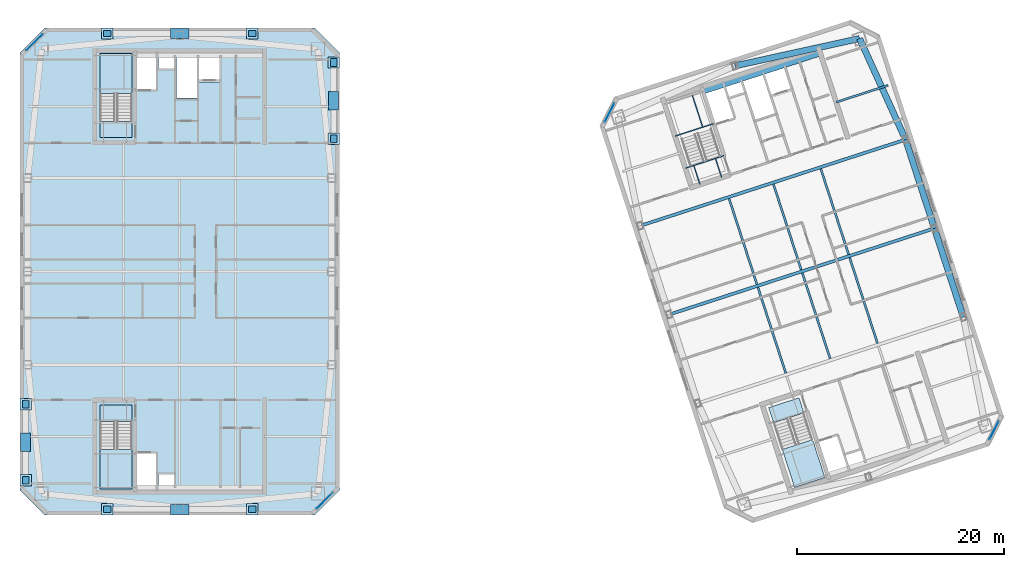
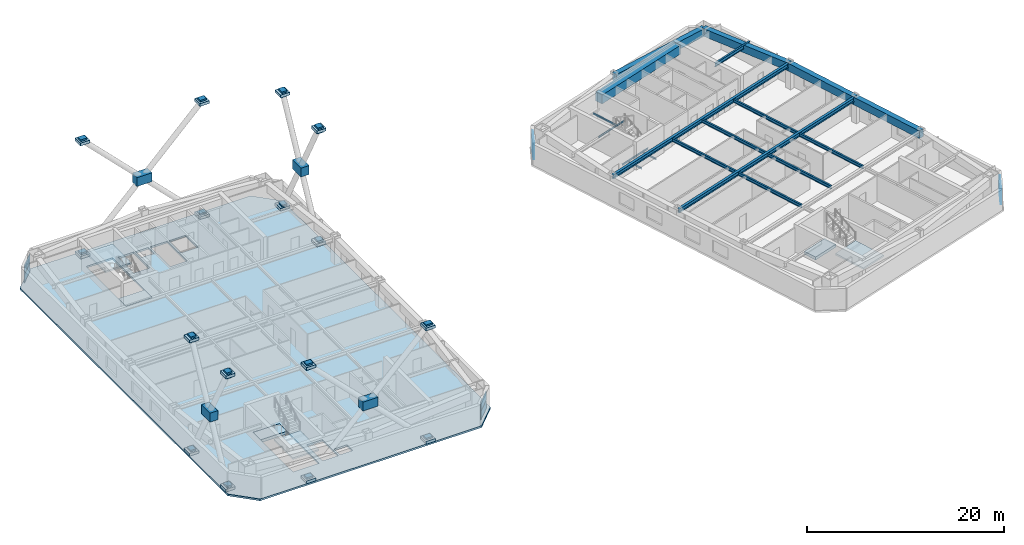
# One storey, part 11 of 20: 44 plates, 19 beams, 7 slabs, 7 elements without a shape of their own.
"""IFC4 building model written with IfcOpenShell, lengths in metres."""

from ifc_helpers import new_model, si_unit, direction, frame, origin, origin_2d, place, context, subcontext, project, spatial, polyline, rectangle, i_section, outline, extrude, material, layer, layer_set, material_profile, profile_set, type_object, element, aggregate, save


model = new_model("IFC4")

# Units and contexts
model_context = context("Model", 3, precision=1e-05, world=origin(), true_north=direction((0.0, 1.0)))
body_context = subcontext(model_context, "Body", "Model", "MODEL_VIEW")
ifc_project = project(units=[si_unit("LENGTHUNIT", "METRE"), si_unit("AREAUNIT", "SQUARE_METRE"), si_unit("VOLUMEUNIT", "CUBIC_METRE"), si_unit("PLANEANGLEUNIT", "RADIAN"), si_unit("MASSUNIT", "GRAM", prefix="KILO")], contexts=[model_context])

# Site, building, storey
site_placement = place(None, origin())
site = spatial("IfcSite", under=ifc_project, at=site_placement, CompositionType="ELEMENT")
building_placement = place(site_placement, origin())
building = spatial("IfcBuilding", under=site, at=building_placement, Name="Qiaolan Cultural Towers", CompositionType="ELEMENT")
storey_placement = place(building_placement, frame((0.0, 0.0, 223.10009765625)))
storey = spatial("IfcBuildingStorey", under=building, at=storey_placement, Name="L60", CompositionType="ELEMENT", Elevation=223.10009765625)

# Beams
ifc_material_1 = material(Name="Steel Q355B", Category="steel")
ifc_material_profile_1 = material_profile(ifc_material_1, i_section(OverallWidth=0.300048828125, OverallDepth=0.488037109375, WebThickness=0.010986328125, FlangeThickness=0.01806640625, at=origin_2d()), Name="HM488x300x11x18")
ifc_profile_set_1 = profile_set([ifc_material_profile_1], Name="Steel Q355B")
beam_type_1 = type_object("IfcBeamType", Name="BM-HM488x300x11x18", PredefinedType="BEAM", material=ifc_profile_set_1)
beam_1_placement = place(storey_placement, frame((77.208251953125, 29.84375, 2.94580078125), z_axis=(0.95105740976, 0.309014244561, 0.0), x_axis=(-0.309014244561, 0.95105740976, 0.0)))
element("IfcBeam", 1, at=beam_1_placement, inside=storey, type_object=beam_type_1, Name="L60 T2 Primary Transverse Girder V2", PredefinedType="BEAM", context=body_context, shape_type="SweptSolid", body=[
    extrude(i_section(OverallWidth=0.300048828125, OverallDepth=0.488037109375, WebThickness=0.010986328125, FlangeThickness=0.01806640625, at=origin_2d()), origin(), (0.0, 0.0, 1.0), 26.900146484375),
])
beam_2_placement = place(storey_placement, frame((74.42724609375, 38.4033203125, 2.94580078125), z_axis=(0.951056543098, 0.309016911884, 0.0), x_axis=(-0.309016911884, 0.951056543098, 0.0)))
element("IfcBeam", 2, at=beam_2_placement, inside=storey, type_object=beam_type_1, Name="L60 T2 Primary Transverse Girder V3", PredefinedType="BEAM", context=body_context, shape_type="SweptSolid", body=[
    extrude(i_section(OverallWidth=0.300048828125, OverallDepth=0.488037109375, WebThickness=0.010986328125, FlangeThickness=0.01806640625, at=origin_2d()), origin(), (0.0, 0.0, 1.0), 26.89990234375),
])
ifc_material_2 = material(Name="Steel Q355B", Category="steel")
ifc_material_profile_2 = material_profile(ifc_material_2, i_section(OverallWidth=0.199951171875, OverallDepth=0.39990234375, WebThickness=0.008056640625, FlangeThickness=0.012939453125, at=origin_2d()), Name="HN400x200x8x13")
ifc_profile_set_2 = profile_set([ifc_material_profile_2], Name="Steel Q355B")
beam_type_2 = type_object("IfcBeamType", Name="BM-JST-HN400x200x8x13", PredefinedType="JOIST", material=ifc_profile_set_2)
for number, where, z_axis, x_axis, name in (
    (3, (88.455078125, 24.192626953125, 2.989990234375), (-0.309020714809, 0.951055307445, 0.0), (-0.951055307445, -0.309020714809, 0.0), "L60 T2 Secondary Floor Joist U1-2"),
    (4, (85.673828125, 32.752197265625, 2.989990234375), (-0.309020714809, 0.951055307445, 0.0), (-0.951055307445, -0.309020714809, 0.0), "L60 T2 Secondary Floor Joist U1-3"),
    (5, (92.73486328125, 25.583251953125, 2.989990234375), (-0.309020714809, 0.951055307445, 0.0), (-0.951055307445, -0.309020714809, 0.0), "L60 T2 Secondary Floor Joist U2-2"),
    (6, (89.95361328125, 34.142578125, 2.989990234375), (-0.309020714809, 0.951055307445, 0.0), (-0.951055307445, -0.309020714809, 0.0), "L60 T2 Secondary Floor Joist U2-3"),
    (7, (97.2998046875, 27.06640625, 2.989990234375), (-0.309020714809, 0.951055307445, 0.0), (-0.951055307445, -0.309020714809, 0.0), "L60 T2 Secondary Floor Joist U3-2"),
    (8, (94.518798828125, 35.6259765625, 2.989990234375), (-0.309020714809, 0.951055307445, 0.0), (-0.951055307445, -0.309020714809, 0.0), "L60 T2 Secondary Floor Joist U3-3"),
):
    element("IfcBeam", number, at=place(storey_placement, frame(where, z_axis=z_axis, x_axis=x_axis)), inside=storey, type_object=beam_type_2, Name=name, PredefinedType="JOIST", context=body_context, shape_type="SweptSolid", body=[
        extrude(i_section(OverallWidth=0.199951171875, OverallDepth=0.39990234375, WebThickness=0.008056640625, FlangeThickness=0.012939453125, at=origin_2d()), origin(), (0.0, 0.0, 1.0), 8.699951171875),
    ])
ifc_material_3 = material(Name="Steel Q355B", Category="steel")
ifc_material_profile_3 = material_profile(ifc_material_3, i_section(OverallWidth=0.199951171875, OverallDepth=0.449951171875, WebThickness=0.009033203125, FlangeThickness=0.013916015625, at=origin_2d()), Name="HN450x200x9x14")
ifc_profile_set_3 = profile_set([ifc_material_profile_3], Name="Steel Q355B")
beam_type_3 = type_object("IfcBeamType", Name="BM-LNT-HN450x200x9x14", PredefinedType="LINTEL", material=ifc_profile_set_3)
beam_3_placement = place(storey_placement, frame((93.31787109375, 50.32421875, 2.96484375), z_axis=(0.951060037126, 0.309006158161, 0.0), x_axis=(-0.309006158161, 0.951060037126, 0.0)))
element("IfcBeam", 9, at=beam_3_placement, inside=storey, type_object=beam_type_3, Name="L60 T2 Core Flank Tie Lintel EN", PredefinedType="LINTEL", context=body_context, shape_type="SweptSolid", body=[
    extrude(i_section(OverallWidth=0.199951171875, OverallDepth=0.449951171875, WebThickness=0.009033203125, FlangeThickness=0.013916015625, at=origin_2d()), origin(), (0.0, 0.0, 1.0), 5.25),
])
ifc_material_4 = material(Name="Concrete C50", Category="concrete")
ifc_material_profile_4 = material_profile(ifc_material_4, rectangle(XDim=0.89990234375, YDim=1.10009765625, at=origin_2d()), Name="RC900x1100")
ifc_profile_set_4 = profile_set([ifc_material_profile_4], Name="Concrete C50")
beam_type_4 = type_object("IfcBeamType", Name="BM-RC900x1100", PredefinedType="BEAM", material=ifc_profile_set_4)
beam_4_placement = place(storey_placement, frame((80.427978515625, 51.551025390625, 2.639892578125), z_axis=(0.951056266386, 0.309017763514, 0.0), x_axis=(-0.309017763514, 0.951056266386, 0.0)))
element("IfcBeam", 10, at=beam_4_placement, inside=storey, type_object=beam_type_4, Name="L60 T2 Core Header Girder N", PredefinedType="BEAM", context=body_context, shape_type="SweptSolid", body=[
    extrude(rectangle(XDim=0.89990234375, YDim=1.10009765625, at=origin_2d()), origin(), (0.0, 0.0, 1.0), 11.880126953125),
])
ifc_material_5 = material(Name="Concrete C50", Category="concrete")
ifc_material_profile_5 = material_profile(ifc_material_5, rectangle(XDim=0.60009765625, YDim=0.949951171875, at=origin_2d()), Name="RC600x950")
ifc_profile_set_5 = profile_set([ifc_material_profile_5], Name="Concrete C50")
beam_type_5 = type_object("IfcBeamType", Name="BM-SPD-RC600x950", PredefinedType="SPANDREL", material=ifc_profile_set_5)
for number, where, z_axis, x_axis, name in (
    (11, (105.57275390625, 29.5966796875, 2.71484375), (-0.309000197986, 0.951061973609, 0.0), (-0.951061973609, -0.309000197986, 0.0), "L60 T2 Perimeter Spandrel Beam 4"),
    (12, (102.791748046875, 38.15625, 2.71484375), (-0.309024734286, 0.951054001411, 0.0), (-0.951054001411, -0.309024734286, 0.0), "L60 T2 Perimeter Spandrel Beam 5"),
):
    element("IfcBeam", number, at=place(storey_placement, frame(where, z_axis=z_axis, x_axis=x_axis)), inside=storey, type_object=beam_type_5, Name=name, PredefinedType="SPANDREL", context=body_context, shape_type="SweptSolid", body=[
        extrude(rectangle(XDim=0.60009765625, YDim=0.949951171875, at=origin_2d()), origin(), (0.0, 0.0, 1.0), 9.0),
    ])
beam_5_placement = place(storey_placement, frame((100.010498046875, 46.7158203125, 2.71484375), z_axis=(-0.414500208282, 0.910049216985, 0.0), x_axis=(-0.910049216985, -0.414500208282, 0.0)))
element("IfcBeam", 13, at=beam_5_placement, inside=storey, type_object=beam_type_5, Name="L60 T2 Perimeter Spandrel Beam 6", PredefinedType="SPANDREL", context=body_context, shape_type="SweptSolid", body=[
    extrude(rectangle(XDim=0.60009765625, YDim=0.949951171875, at=origin_2d()), origin(), (0.0, 0.0, 1.0), 10.70849609375),
])
beam_6_placement = place(storey_placement, frame((95.57177734375, 56.461181640625, 2.71484375), z_axis=(-0.976843395078, -0.213955559619, 0.0), x_axis=(0.213955559619, -0.976843395078, 0.0)))
element("IfcBeam", 14, at=beam_6_placement, inside=storey, type_object=beam_type_5, Name="L60 T2 Perimeter Spandrel Beam 7", PredefinedType="SPANDREL", context=body_context, shape_type="SweptSolid", body=[
    extrude(rectangle(XDim=0.60009765625, YDim=0.949951171875, at=origin_2d()), origin(), (0.0, 0.0, 1.0), 12.2998046875),
])
ifc_material_6 = material(Name="Steel Q355B", Category="steel")
ifc_material_profile_6 = material_profile(ifc_material_6, i_section(OverallWidth=0.10009765625, OverallDepth=0.199951171875, WebThickness=0.005615234375, FlangeThickness=0.008056640625, at=origin_2d()), Name="HN200x100x5.5x8")
ifc_profile_set_6 = profile_set([ifc_material_profile_6], Name="Steel Q355B")
beam_type_6 = type_object("IfcBeamType", Name="BM-STTRIM-200", PredefinedType="BEAM", material=ifc_profile_set_6)
beam_7_placement = place(storey_placement, frame((78.773193359375, 43.958251953125, -0.460205078125), z_axis=(0.951072048947, 0.3089691857, 0.0), x_axis=(-0.3089691857, 0.951072048947, 0.0)))
element("IfcBeam", 15, at=beam_7_placement, inside=storey, type_object=beam_type_6, Name="L60 ST-E2 Floor Landing Header Beam", PredefinedType="BEAM", context=body_context, shape_type="SweptSolid", body=[
    extrude(i_section(OverallWidth=0.10009765625, OverallDepth=0.199951171875, WebThickness=0.005615234375, FlangeThickness=0.008056640625, at=origin_2d()), origin(), (0.0, 0.0, 1.0), 3.920166015625),
])
for number, where, z_axis, x_axis, name in (
    (16, (80.18115234375, 42.375732421875, -0.460205078125), (-0.308969394428, 0.951071981138, 0.0), (-0.951071981138, -0.308969394428, 0.0), "L60 ST-E2 Floor Landing Stringer 1"),
    (17, (82.2734375, 43.0556640625, -0.460205078125), (-0.308969394428, 0.951071981138, 0.0), (-0.951071981138, -0.308969394428, 0.0), "L60 ST-E2 Floor Landing Stringer 2"),
):
    element("IfcBeam", number, at=place(storey_placement, frame(where, z_axis=z_axis, x_axis=x_axis)), inside=storey, type_object=beam_type_6, Name=name, PredefinedType="BEAM", context=body_context, shape_type="SweptSolid", body=[
        extrude(i_section(OverallWidth=0.10009765625, OverallDepth=0.199951171875, WebThickness=0.005615234375, FlangeThickness=0.008056640625, at=origin_2d()), origin(), (0.0, 0.0, 1.0), 1.93994140625),
    ])
beam_8_placement = place(storey_placement, frame((77.769287109375, 47.0478515625, 1.4248046875), z_axis=(0.951053746643, 0.309025518358, 0.0), x_axis=(-0.309025518358, 0.951053746643, 0.0)))
element("IfcBeam", 18, at=beam_8_placement, inside=storey, type_object=beam_type_6, Name="L60 ST-E2 Stair Landing Support Beam 1-1", PredefinedType="BEAM", context=body_context, shape_type="SweptSolid", body=[
    extrude(i_section(OverallWidth=0.10009765625, OverallDepth=0.199951171875, WebThickness=0.005615234375, FlangeThickness=0.008056640625, at=origin_2d()), origin(), (0.0, 0.0, 1.0), 3.920166015625),
])
beam_9_placement = place(storey_placement, frame((80.44189453125, 47.916259765625, 1.4248046875), z_axis=(-0.309033108495, 0.951051280349, 0.0), x_axis=(-0.951051280349, -0.309033108495, 0.0)))
element("IfcBeam", 19, at=beam_9_placement, inside=storey, type_object=beam_type_6, Name="L60 ST-E2 Stair Landing Trimmer 1", PredefinedType="BEAM", context=body_context, shape_type="SweptSolid", body=[
    extrude(i_section(OverallWidth=0.10009765625, OverallDepth=0.199951171875, WebThickness=0.005615234375, FlangeThickness=0.008056640625, at=origin_2d()), origin(), (0.0, 0.0, 1.0), 3.231201171875),
])

# Curtain wall, plates
ifc_material_7 = material(Name="Unitized Anodized Aluminium Curtain Wall System", Category="aluminium")
ifc_layer_1 = layer(ifc_material_7, 0.199951171875)
ifc_layer_set_1 = layer_set([ifc_layer_1], Name="Unitized Anodized Aluminium Curtain Wall System")
curtain_wall_type = type_object("IfcCurtainWallType", Name="CWS-05", PredefinedType="NOTDEFINED", material=ifc_layer_set_1)
curtain_wall_1_placement = place(storey_placement, origin())
curtain_wall_1 = element("IfcCurtainWall", 20, at=curtain_wall_1_placement, inside=storey, type_object=curtain_wall_type, Name="L60 T1 Chamfer Wind-Corner Feature Curtain Wall 1", PredefinedType="NOTDEFINED")
ifc_material_8 = material(Name="Laminated Low-E Insulating Glass Unit", Category="glass")
ifc_layer_2 = layer(ifc_material_8, 0.035888671875)
ifc_layer_set_2 = layer_set([ifc_layer_2], Name="Laminated Low-E Insulating Glass Unit")
plate_type_1 = type_object("IfcPlateType", Name="CWS-05-PNL", PredefinedType="CURTAIN_PANEL", material=ifc_layer_set_2)
plate_1_placement = place(storey_placement, frame((16.0, 56.10009765625, 0.21484375), z_axis=(0.0, 0.0, 1.0), x_axis=(0.707106781187, 0.707106781187, 0.0)))
plate_1 = element("IfcPlate", 21, at=plate_1_placement, type_object=plate_type_1, Name="CW-5 panel 1.1", PredefinedType="CURTAIN_PANEL", context=body_context, shape_type="SweptSolid", body=[
    extrude(rectangle(XDim=2.157958984375, YDim=0.035888671875, at=origin_2d()), origin(), (0.0, 0.0, 1.0), 1.00244140625),
])
plate_2_placement = place(storey_placement, frame((16.0, 56.10009765625, 1.282470703125), z_axis=(0.0, 0.0, 1.0), x_axis=(0.707106781187, 0.707106781187, 0.0)))
plate_2 = element("IfcPlate", 22, at=plate_2_placement, type_object=plate_type_1, Name="CW-5 panel 1.2", PredefinedType="CURTAIN_PANEL", context=body_context, shape_type="SweptSolid", body=[
    extrude(rectangle(XDim=2.157958984375, YDim=0.035888671875, at=origin_2d()), origin(), (0.0, 0.0, 1.0), 1.16259765625),
])
aggregate(curtain_wall_1, [plate_1, plate_2])

curtain_wall_2_placement = place(storey_placement, origin())
curtain_wall_2 = element("IfcCurtainWall", 23, at=curtain_wall_2_placement, inside=storey, type_object=curtain_wall_type, Name="L60 T1 Chamfer Wind-Corner Feature Curtain Wall 2", PredefinedType="NOTDEFINED")
plate_3_placement = place(storey_placement, frame((44.0, 11.89990234375, 0.21484375), z_axis=(0.0, 0.0, 1.0), x_axis=(-0.707106781187, -0.707106781187, 0.0)))
plate_3 = element("IfcPlate", 24, at=plate_3_placement, type_object=plate_type_1, Name="CW-5 panel 1.1", PredefinedType="CURTAIN_PANEL", context=body_context, shape_type="SweptSolid", body=[
    extrude(rectangle(XDim=2.157958984375, YDim=0.035888671875, at=origin_2d()), origin(), (0.0, 0.0, 1.0), 1.00244140625),
])
plate_4_placement = place(storey_placement, frame((44.0, 11.89990234375, 1.282470703125), z_axis=(0.0, 0.0, 1.0), x_axis=(-0.707106781187, -0.707106781187, 0.0)))
plate_4 = element("IfcPlate", 25, at=plate_4_placement, type_object=plate_type_1, Name="CW-5 panel 1.2", PredefinedType="CURTAIN_PANEL", context=body_context, shape_type="SweptSolid", body=[
    extrude(rectangle(XDim=2.157958984375, YDim=0.035888671875, at=origin_2d()), origin(), (0.0, 0.0, 1.0), 1.16259765625),
])
aggregate(curtain_wall_2, [plate_3, plate_4])

curtain_wall_3_placement = place(storey_placement, origin())
curtain_wall_3 = element("IfcCurtainWall", 26, at=curtain_wall_3_placement, inside=storey, type_object=curtain_wall_type, Name="L60 T2 Chamfer Wind-Corner Feature Curtain Wall 1", PredefinedType="NOTDEFINED")
plate_5_placement = place(storey_placement, frame((71.458251953125, 49.320068359375, 0.21484375), z_axis=(0.0, 0.0, 1.0), x_axis=(0.45399044755, 0.89100655078, 0.0)))
plate_5 = element("IfcPlate", 27, at=plate_5_placement, type_object=plate_type_1, Name="CW-5 panel 1.1", PredefinedType="CURTAIN_PANEL", context=body_context, shape_type="SweptSolid", body=[
    extrude(rectangle(XDim=1.965576171875, YDim=0.035888671875, at=origin_2d()), origin(), (0.0, 0.0, 1.0), 1.00244140625),
])
plate_6_placement = place(storey_placement, frame((71.458251953125, 49.320068359375, 1.282470703125), z_axis=(0.0, 0.0, 1.0), x_axis=(0.45399044755, 0.89100655078, 0.0)))
plate_6 = element("IfcPlate", 28, at=plate_6_placement, type_object=plate_type_1, Name="CW-5 panel 1.2", PredefinedType="CURTAIN_PANEL", context=body_context, shape_type="SweptSolid", body=[
    extrude(rectangle(XDim=1.965576171875, YDim=0.035888671875, at=origin_2d()), origin(), (0.0, 0.0, 1.0), 1.16259765625),
])
aggregate(curtain_wall_3, [plate_5, plate_6])

curtain_wall_4_placement = place(storey_placement, origin())
curtain_wall_4 = element("IfcCurtainWall", 29, at=curtain_wall_4_placement, inside=storey, type_object=curtain_wall_type, Name="L60 T2 Chamfer Wind-Corner Feature Curtain Wall 2", PredefinedType="NOTDEFINED")
plate_7_placement = place(storey_placement, frame((108.541748046875, 18.679931640625, 0.21484375), z_axis=(0.0, 0.0, 1.0), x_axis=(-0.45399044755, -0.89100655078, 0.0)))
plate_7 = element("IfcPlate", 30, at=plate_7_placement, type_object=plate_type_1, Name="CW-5 panel 1.1", PredefinedType="CURTAIN_PANEL", context=body_context, shape_type="SweptSolid", body=[
    extrude(rectangle(XDim=1.965576171875, YDim=0.035888671875, at=origin_2d()), origin(), (0.0, 0.0, 1.0), 1.00244140625),
])
plate_8_placement = place(storey_placement, frame((108.541748046875, 18.679931640625, 1.282470703125), z_axis=(0.0, 0.0, 1.0), x_axis=(-0.45399044755, -0.89100655078, 0.0)))
plate_8 = element("IfcPlate", 31, at=plate_8_placement, type_object=plate_type_1, Name="CW-5 panel 1.2", PredefinedType="CURTAIN_PANEL", context=body_context, shape_type="SweptSolid", body=[
    extrude(rectangle(XDim=1.965576171875, YDim=0.035888671875, at=origin_2d()), origin(), (0.0, 0.0, 1.0), 1.16259765625),
])
aggregate(curtain_wall_4, [plate_7, plate_8])

# Plates
ifc_material_9 = material(Name="Steel Q355B", Category="steel")
ifc_layer_3 = layer(ifc_material_9, 0.035888671875)
ifc_layer_set_3 = layer_set([ifc_layer_3], Name="Steel Q355B")
plate_type_2 = type_object("IfcPlateType", Name="PL-CONN-36", PredefinedType="USERDEFINED", material=ifc_layer_set_3)
for number, where, z_axis, x_axis, name in (
    (32, (15.14990234375, 13.85009765625, -0.22021484375), (0.0, 0.0, 1.0), (0.0, 1.0, 0.0), "L60 Brace End Connection Gusset Plate GP-02-0364"),
    (33, (15.14990234375, 21.199951171875, 13.830078125), (0.0, 0.0, 1.0), (0.0, 1.0, 0.0), "L60 Brace End Connection Gusset Plate GP-02-0365"),
    (34, (15.14990234375, 21.199951171875, -0.22021484375), (0.0, 0.0, 1.0), (0.0, 1.0, 0.0), "L60 Brace End Connection Gusset Plate GP-02-0366"),
    (35, (15.14990234375, 13.85009765625, 13.830078125), (0.0, 0.0, 1.0), (0.0, 1.0, 0.0), "L60 Brace End Connection Gusset Plate GP-02-0367"),
    (36, (44.85009765625, 46.800048828125, -0.22021484375), (0.0, 0.0, 1.0), (0.0, 1.0, 0.0), "L60 Brace End Connection Gusset Plate GP-02-0368"),
    (37, (44.85009765625, 54.14990234375, 13.830078125), (0.0, 0.0, 1.0), (0.0, 1.0, 0.0), "L60 Brace End Connection Gusset Plate GP-02-0369"),
    (38, (44.85009765625, 54.14990234375, -0.22021484375), (0.0, 0.0, 1.0), (0.0, 1.0, 0.0), "L60 Brace End Connection Gusset Plate GP-02-0370"),
    (39, (44.85009765625, 46.800048828125, 13.830078125), (0.0, 0.0, 1.0), (0.0, 1.0, 0.0), "L60 Brace End Connection Gusset Plate GP-02-0371"),
    (40, (23.0, 11.050048828125, -0.22021484375), (0.0, 0.0, 1.0), (1.0, 0.0, 0.0), "L60 Brace End Connection Gusset Plate GP-02-0372"),
    (41, (37.0, 11.050048828125, 13.830078125), (0.0, 0.0, 1.0), (1.0, 0.0, 0.0), "L60 Brace End Connection Gusset Plate GP-02-0373"),
    (42, (37.0, 11.050048828125, -0.22021484375), (0.0, 0.0, 1.0), (1.0, 0.0, 0.0), "L60 Brace End Connection Gusset Plate GP-02-0374"),
    (43, (23.0, 11.050048828125, 13.830078125), (0.0, 0.0, 1.0), (1.0, 0.0, 0.0), "L60 Brace End Connection Gusset Plate GP-02-0375"),
    (44, (23.0, 56.949951171875, -0.22021484375), (0.0, 0.0, 1.0), (1.0, 0.0, 0.0), "L60 Brace End Connection Gusset Plate GP-02-0376"),
    (45, (37.0, 56.949951171875, 13.830078125), (0.0, 0.0, 1.0), (1.0, 0.0, 0.0), "L60 Brace End Connection Gusset Plate GP-02-0377"),
    (46, (37.0, 56.949951171875, -0.22021484375), (0.0, 0.0, 1.0), (1.0, 0.0, 0.0), "L60 Brace End Connection Gusset Plate GP-02-0378"),
    (47, (23.0, 56.949951171875, 13.830078125), (0.0, 0.0, 1.0), (1.0, 0.0, 0.0), "L60 Brace End Connection Gusset Plate GP-02-0379"),
):
    element("IfcPlate", number, at=place(storey_placement, frame(where, z_axis=z_axis, x_axis=x_axis)), inside=storey, type_object=plate_type_2, Name=name, ObjectType="GUSSET_PLATE", PredefinedType="USERDEFINED", context=body_context, shape_type="SweptSolid", body=[
        extrude(rectangle(XDim=0.739990234375, YDim=0.6201171875, at=origin_2d()), origin(), (0.0, 0.0, 1.0), 0.739990234375),
    ])
ifc_material_10 = material(Name="Steel Q355B", Category="steel")
ifc_layer_4 = layer(ifc_material_10, 0.030029296875)
ifc_layer_set_4 = layer_set([ifc_layer_4], Name="Steel Q355B")
plate_type_3 = type_object("IfcPlateType", Name="PL-ENDCAP-30", PredefinedType="USERDEFINED", material=ifc_layer_set_4)
for number, where, z_axis, x_axis, name in (
    (48, (15.14990234375, 13.85009765625, -0.025146484375), (0.0, 0.0, 1.0), (0.0, 1.0, 0.0), "Hollow Brace End Seal Cap Plate CP-01"),
    (49, (15.14990234375, 21.199951171875, -0.025146484375), (0.0, 0.0, 1.0), (0.0, 1.0, 0.0), "Hollow Brace End Seal Cap Plate CP-01"),
    (50, (15.14990234375, 13.85009765625, 14.02490234375), (0.0, 0.0, 1.0), (0.0, 1.0, 0.0), "Hollow Brace End Seal Cap Plate CP-01"),
    (51, (15.14990234375, 21.199951171875, 14.02490234375), (0.0, 0.0, 1.0), (0.0, 1.0, 0.0), "Hollow Brace End Seal Cap Plate CP-01"),
    (52, (44.85009765625, 46.800048828125, -0.025146484375), (0.0, 0.0, 1.0), (0.0, 1.0, 0.0), "Hollow Brace End Seal Cap Plate CP-01"),
    (53, (44.85009765625, 54.14990234375, -0.025146484375), (0.0, 0.0, 1.0), (0.0, 1.0, 0.0), "Hollow Brace End Seal Cap Plate CP-01"),
    (54, (44.85009765625, 46.800048828125, 14.02490234375), (0.0, 0.0, 1.0), (0.0, 1.0, 0.0), "Hollow Brace End Seal Cap Plate CP-01"),
    (55, (44.85009765625, 54.14990234375, 14.02490234375), (0.0, 0.0, 1.0), (0.0, 1.0, 0.0), "Hollow Brace End Seal Cap Plate CP-01"),
    (56, (23.0, 11.050048828125, -0.025146484375), (0.0, 0.0, 1.0), (1.0, 0.0, 0.0), "Hollow Brace End Seal Cap Plate CP-01"),
    (57, (37.0, 11.050048828125, -0.025146484375), (0.0, 0.0, 1.0), (1.0, 0.0, 0.0), "Hollow Brace End Seal Cap Plate CP-01"),
    (58, (23.0, 11.050048828125, 14.02490234375), (0.0, 0.0, 1.0), (1.0, 0.0, 0.0), "Hollow Brace End Seal Cap Plate CP-01"),
    (59, (37.0, 11.050048828125, 14.02490234375), (0.0, 0.0, 1.0), (1.0, 0.0, 0.0), "Hollow Brace End Seal Cap Plate CP-01"),
    (60, (23.0, 56.949951171875, -0.025146484375), (0.0, 0.0, 1.0), (1.0, 0.0, 0.0), "Hollow Brace End Seal Cap Plate CP-01"),
    (61, (37.0, 56.949951171875, -0.025146484375), (0.0, 0.0, 1.0), (1.0, 0.0, 0.0), "Hollow Brace End Seal Cap Plate CP-01"),
    (62, (23.0, 56.949951171875, 14.02490234375), (0.0, 0.0, 1.0), (1.0, 0.0, 0.0), "Hollow Brace End Seal Cap Plate CP-01"),
    (63, (37.0, 56.949951171875, 14.02490234375), (0.0, 0.0, 1.0), (1.0, 0.0, 0.0), "Hollow Brace End Seal Cap Plate CP-01"),
):
    element("IfcPlate", number, at=place(storey_placement, frame(where, z_axis=z_axis, x_axis=x_axis)), inside=storey, type_object=plate_type_3, Name=name, ObjectType="BASE_PLATE", PredefinedType="USERDEFINED", context=body_context, shape_type="SweptSolid", body=[
        extrude(rectangle(XDim=1.10009765625, YDim=1.10009765625, at=origin_2d()), origin(), (0.0, 0.0, 1.0), 0.35009765625),
    ])
ifc_material_11 = material(Name="Steel Q390GJB", Category="steel")
ifc_layer_5 = layer(ifc_material_11, 0.0439453125)
ifc_layer_set_5 = layer_set([ifc_layer_5], Name="Steel Q390GJB")
plate_type_4 = type_object("IfcPlateType", Name="PL-NODE-ND06", PredefinedType="USERDEFINED", material=ifc_layer_set_5)
plate_9_placement = place(storey_placement, frame((15.14990234375, 17.52490234375, 6.624755859375), z_axis=(0.0, 0.0, 1.0), x_axis=(0.0, 1.0, 0.0)))
element("IfcPlate", 64, at=plate_9_placement, inside=storey, type_object=plate_type_4, Name="Perimeter Frame Gusset Node Assembly ND-06", ObjectType="GUSSET_PLATE", PredefinedType="USERDEFINED", context=body_context, shape_type="SweptSolid", body=[
    extrude(rectangle(XDim=1.760009765625, YDim=0.9599609375, at=origin_2d()), origin(), (0.0, 0.0, 1.0), 1.10009765625),
])
ifc_material_12 = material(Name="Steel Q390GJB", Category="steel")
ifc_layer_6 = layer(ifc_material_12, 0.0458984375)
ifc_layer_set_6 = layer_set([ifc_layer_6], Name="Steel Q390GJB")
plate_type_5 = type_object("IfcPlateType", Name="PL-NODE-ND07", PredefinedType="USERDEFINED", material=ifc_layer_set_6)
plate_10_placement = place(storey_placement, frame((44.85009765625, 50.47509765625, 6.624755859375), z_axis=(0.0, 0.0, 1.0), x_axis=(0.0, 1.0, 0.0)))
element("IfcPlate", 65, at=plate_10_placement, inside=storey, type_object=plate_type_5, Name="Perimeter Frame Gusset Node Assembly ND-07", ObjectType="GUSSET_PLATE", PredefinedType="USERDEFINED", context=body_context, shape_type="SweptSolid", body=[
    extrude(rectangle(XDim=1.760009765625, YDim=0.9599609375, at=origin_2d()), origin(), (0.0, 0.0, 1.0), 1.10009765625),
])
ifc_material_13 = material(Name="Steel Q390GJB", Category="steel")
ifc_layer_7 = layer(ifc_material_13, 0.0400390625)
ifc_layer_set_7 = layer_set([ifc_layer_7], Name="Steel Q390GJB")
plate_type_6 = type_object("IfcPlateType", Name="PL-NODE-ND08", PredefinedType="USERDEFINED", material=ifc_layer_set_7)
plate_11_placement = place(storey_placement, frame((30.0, 11.050048828125, 6.624755859375), z_axis=(0.0, 0.0, 1.0), x_axis=(1.0, 0.0, 0.0)))
element("IfcPlate", 66, at=plate_11_placement, inside=storey, type_object=plate_type_6, Name="Perimeter Frame Gusset Node Assembly ND-08", ObjectType="GUSSET_PLATE", PredefinedType="USERDEFINED", context=body_context, shape_type="SweptSolid", body=[
    extrude(rectangle(XDim=1.760009765625, YDim=0.9599609375, at=origin_2d()), origin(), (0.0, 0.0, 1.0), 1.10009765625),
])
ifc_material_14 = material(Name="Steel Q390GJB", Category="steel")
ifc_layer_8 = layer(ifc_material_14, 0.0419921875)
ifc_layer_set_8 = layer_set([ifc_layer_8], Name="Steel Q390GJB")
plate_type_7 = type_object("IfcPlateType", Name="PL-NODE-ND09", PredefinedType="USERDEFINED", material=ifc_layer_set_8)
plate_12_placement = place(storey_placement, frame((30.0, 56.949951171875, 6.624755859375), z_axis=(0.0, 0.0, 1.0), x_axis=(1.0, 0.0, 0.0)))
element("IfcPlate", 67, at=plate_12_placement, inside=storey, type_object=plate_type_7, Name="Perimeter Frame Gusset Node Assembly ND-09", ObjectType="GUSSET_PLATE", PredefinedType="USERDEFINED", context=body_context, shape_type="SweptSolid", body=[
    extrude(rectangle(XDim=1.760009765625, YDim=0.9599609375, at=origin_2d()), origin(), (0.0, 0.0, 1.0), 1.10009765625),
])

# Stair, slab
ifc_material_15 = material(Name="Concrete C45", Category="concrete")
stair_type = type_object("IfcStairType", Name="STR-CORE-1500", PredefinedType="HALF_TURN_STAIR", material=ifc_material_15)
stair_1_placement = place(storey_placement, origin())
stair_1 = element("IfcStair", 68, at=stair_1_placement, inside=storey, type_object=stair_type, Name="L60 Smokeproof Exit Stair ST-W1", PredefinedType="HALF_TURN_STAIR")
ifc_material_16 = material(Name="Concrete C45", Category="concrete")
ifc_layer_9 = layer(ifc_material_16, 0.199951171875)
ifc_layer_set_9 = layer_set([ifc_layer_9], Name="Concrete C45")
slab_type_1 = type_object("IfcSlabType", Name="SL-STAIR-LAND", PredefinedType="LANDING", material=ifc_layer_set_9)
slab_1_placement = place(storey_placement, frame((0.0, 0.0, 1.52490234375)))
slab_1 = element("IfcSlab", 69, at=slab_1_placement, type_object=slab_type_1, Name="ST-W1 landing 1", PredefinedType="LANDING", context=body_context, shape_type="SweptSolid", body=[
    extrude(outline(polyline([(22.300048828125, 16.851318359375), (22.300048828125, 13.0), (25.3798828125, 13.0), (25.3798828125, 16.851318359375), (22.300048828125, 16.851318359375)])), origin(), (0.0, 0.0, 1.0), 0.199951171875),
])
aggregate(stair_1, [slab_1])

stair_2_placement = place(storey_placement, origin())
stair_2 = element("IfcStair", 70, at=stair_2_placement, inside=storey, type_object=stair_type, Name="L60 Smokeproof Exit Stair ST-W2", PredefinedType="HALF_TURN_STAIR")
slab_2_placement = place(storey_placement, frame((0.0, 0.0, 1.52490234375)))
slab_2 = element("IfcSlab", 71, at=slab_2_placement, type_object=slab_type_1, Name="ST-W2 landing 1", PredefinedType="LANDING", context=body_context, shape_type="SweptSolid", body=[
    extrude(outline(polyline([(25.3798828125, 51.148681640625), (25.3798828125, 55.0), (22.300048828125, 55.0), (22.300048828125, 51.148681640625), (25.3798828125, 51.148681640625)])), origin(), (0.0, 0.0, 1.0), 0.199951171875),
])
aggregate(stair_2, [slab_2])

stair_3_placement = place(storey_placement, origin())
stair_3 = element("IfcStair", 72, at=stair_3_placement, inside=storey, type_object=stair_type, Name="L60 Smokeproof Exit Stair ST-E1", PredefinedType="HALF_TURN_STAIR")
slab_3_placement = place(storey_placement, frame((0.0, 0.0, 1.52490234375)))
slab_3 = element("IfcSlab", 73, at=slab_3_placement, type_object=slab_type_1, Name="ST-E1 landing 1", PredefinedType="LANDING", context=body_context, shape_type="SweptSolid", body=[
    extrude(outline(polyline([(88.114013671875, 16.828125), (89.30419921875, 13.165283203125), (92.2333984375, 14.116943359375), (91.04345703125, 17.77978515625), (88.114013671875, 16.828125)])), origin(), (0.0, 0.0, 1.0), 0.199951171875),
])
aggregate(stair_3, [slab_3])

# Slabs
ifc_material_17 = material(Name="Concrete C40", Category="concrete")
ifc_layer_10 = layer(ifc_material_17, 0.360107421875)
ifc_layer_set_10 = layer_set([ifc_layer_10], Name="Concrete C40")
slab_type_2 = type_object("IfcSlabType", Name="SL-STFLR-360", PredefinedType="LANDING", material=ifc_layer_set_10)
slab_4_placement = place(storey_placement, frame((0.0, 0.0, -0.360107421875)))
element("IfcSlab", 74, at=slab_4_placement, inside=storey, type_object=slab_type_2, Name="L60 ST-W1 Stair Floor Landing Slab", PredefinedType="LANDING", context=body_context, shape_type="SweptSolid", body=[
    extrude(outline(polyline([(22.302001953125, 21.097900390625), (22.302001953125, 19.548583984375), (25.3779296875, 19.548583984375), (25.3779296875, 21.097900390625), (22.302001953125, 21.097900390625)])), origin(), (0.0, 0.0, 1.0), 0.360107421875),
])
slab_5_placement = place(storey_placement, frame((0.0, 0.0, -0.360107421875)))
element("IfcSlab", 75, at=slab_5_placement, inside=storey, type_object=slab_type_2, Name="L60 ST-W2 Stair Floor Landing Slab", PredefinedType="LANDING", context=body_context, shape_type="SweptSolid", body=[
    extrude(outline(polyline([(25.3779296875, 46.902099609375), (25.3779296875, 48.451416015625), (22.302001953125, 48.451416015625), (22.302001953125, 46.902099609375), (25.3779296875, 46.902099609375)])), origin(), (0.0, 0.0, 1.0), 0.360107421875),
])
slab_6_placement = place(storey_placement, frame((0.0, 0.0, -0.360107421875)))
element("IfcSlab", 76, at=slab_6_placement, inside=storey, type_object=slab_type_2, Name="L60 ST-E1 Stair Floor Landing Slab", PredefinedType="LANDING", context=body_context, shape_type="SweptSolid", body=[
    extrude(outline(polyline([(86.8037109375, 20.867431640625), (87.282470703125, 19.39404296875), (90.2080078125, 20.3447265625), (89.729248046875, 21.818115234375), (86.8037109375, 20.867431640625)])), origin(), (0.0, 0.0, 1.0), 0.360107421875),
])
ifc_material_18 = material(Name="Concrete C45", Category="concrete")
ifc_layer_11 = layer(ifc_material_18, 0.219970703125)
ifc_layer_set_11 = layer_set([ifc_layer_11], Name="Concrete C45")
slab_type_3 = type_object("IfcSlabType", Name="SL-TYP-220", PredefinedType="FLOOR", material=ifc_layer_set_11)
slab_7_placement = place(storey_placement, frame((0.0, 0.0, -0.22021484375)))
element("IfcSlab", 77, at=slab_7_placement, inside=storey, type_object=slab_type_3, Name="L60 West Tower Floor Slab", PredefinedType="FLOOR", context=body_context, shape_type="SweptSolid", body=[
    extrude(outline(polyline([(17.0, 10.5), (43.0, 10.5), (45.39990234375, 12.89990234375), (45.39990234375, 55.10009765625), (43.0, 57.5), (17.0, 57.5), (14.60009765625, 55.10009765625), (14.60009765625, 12.89990234375), (17.0, 10.5)]), holes=[polyline([(22.300048828125, 21.10009765625), (22.300048828125, 13.0), (25.3798828125, 13.0), (25.3798828125, 21.10009765625), (22.300048828125, 21.10009765625)]), polyline([(25.3798828125, 46.89990234375), (25.3798828125, 55.0), (22.300048828125, 55.0), (22.300048828125, 46.89990234375), (25.3798828125, 46.89990234375)]), polyline([(25.89990234375, 13.199951171875), (27.75, 13.199951171875), (27.75, 16.449951171875), (25.89990234375, 16.449951171875), (25.89990234375, 13.199951171875)]), polyline([(27.93994140625, 13.25), (29.449951171875, 13.25), (29.449951171875, 14.419921875), (27.93994140625, 14.419921875), (27.93994140625, 13.25)]), polyline([(25.89990234375, 51.550048828125), (27.75, 51.550048828125), (27.75, 54.800048828125), (25.89990234375, 54.800048828125), (25.89990234375, 51.550048828125)]), polyline([(27.93994140625, 53.580078125), (29.449951171875, 53.580078125), (29.449951171875, 54.75), (27.93994140625, 54.75), (27.93994140625, 53.580078125)]), polyline([(31.8798828125, 52.27001953125), (33.820068359375, 52.27001953125), (33.820068359375, 54.75), (31.8798828125, 54.75), (31.8798828125, 52.27001953125)]), polyline([(29.679931640625, 50.719970703125), (31.659912109375, 50.719970703125), (31.659912109375, 54.75), (29.679931640625, 54.75), (29.679931640625, 50.719970703125)])]), origin(), (0.0, 0.0, 1.0), 0.22021484375),
])

save(model, "model.ifc")
